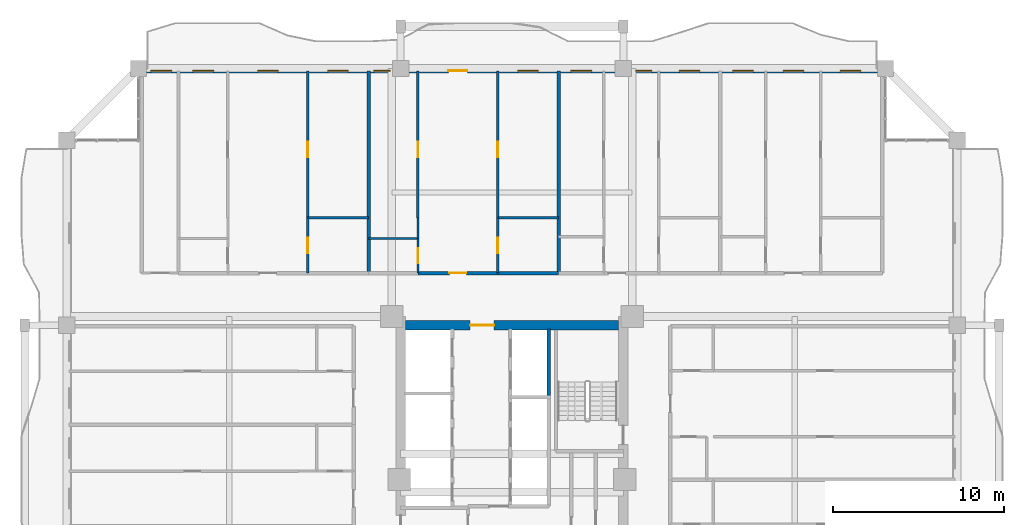
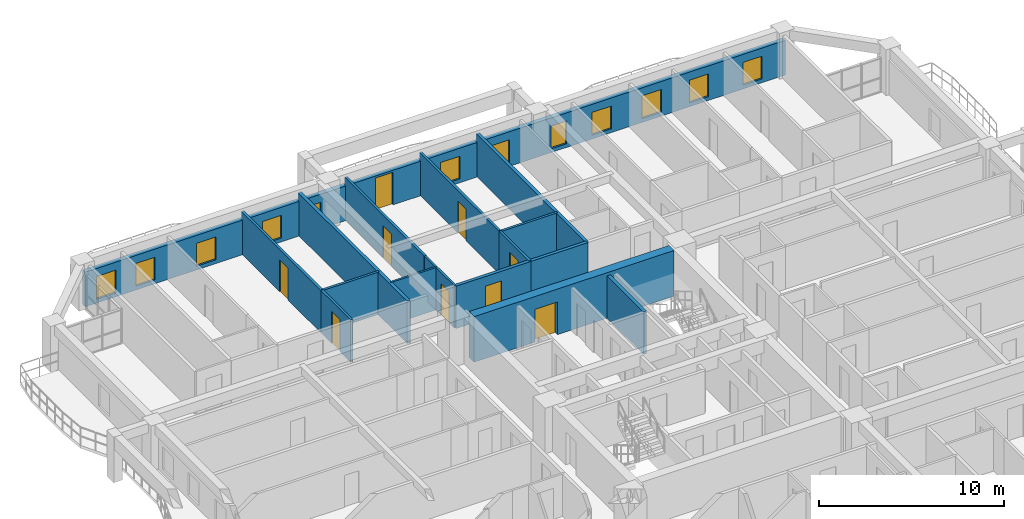
# One storey, part 19 of 26: 17 walls, 12 windows, 9 doors, 21 openings.
"""IFC4 building model written with IfcOpenShell, lengths in metres."""

from ifc_helpers import new_model, si_unit, direction, frame, frame_2d, origin, place, context, subcontext, project, spatial, rectangle, extrude, source, transform, mapped, material, layer, layer_set, type_object, element, fill, save


model = new_model("IFC4")

# Units and contexts
model_context = context("Model", 3, precision=1e-05, world=origin(), true_north=direction((0.0, 1.0)))
body_context = subcontext(model_context, "Body", "Model", "MODEL_VIEW")
ifc_project = project(units=[si_unit("LENGTHUNIT", "METRE"), si_unit("AREAUNIT", "SQUARE_METRE"), si_unit("VOLUMEUNIT", "CUBIC_METRE"), si_unit("PLANEANGLEUNIT", "RADIAN"), si_unit("MASSUNIT", "GRAM", prefix="KILO")], contexts=[model_context])

# Site, building, storey
site_placement = place(None, origin())
site = spatial("IfcSite", under=ifc_project, at=site_placement, CompositionType="ELEMENT")
building_placement = place(site_placement, origin())
building = spatial("IfcBuilding", under=site, at=building_placement, Name="Saelheon Loggia Tower", CompositionType="ELEMENT")
storey_placement = place(building_placement, frame((0.0, 0.0, 89.85009765625)))
storey = spatial("IfcBuildingStorey", under=building, at=storey_placement, Name="L28", CompositionType="ELEMENT", Elevation=89.85009765625)

# Wall, opening, door
ifc_material_1 = material(Name="Concrete C50/60", Category="concrete")
ifc_layer_1 = layer(ifc_material_1, 0.550048828125)
ifc_layer_set_1 = layer_set([ifc_layer_1], Name="Concrete C50/60")
wall_type_1 = type_object("IfcWallType", Name="Wall_CoreShear_550", PredefinedType="SHEAR", material=ifc_layer_set_1)
wall_1_placement = place(storey_placement, frame((31.77490234375, 36.0, 0.0), z_axis=(0.0, 0.0, 1.0), x_axis=(1.0, 0.0, 0.0)))
wall_1 = element("IfcWall", 1, at=wall_1_placement, inside=storey, type_object=wall_type_1, Name="L28 Core Shear Wall North", PredefinedType="SHEAR", context=body_context, shape_type="SweptSolid", body=[
    extrude(rectangle(XDim=12.4501953125, YDim=0.550048828125, at=frame_2d((6.22509765625, 0.0))), origin(), (0.0, 0.0, 1.0), 3.0),
])
opening_1_placement = place(wall_1_placement, frame((5.1748046875, 0.0, 0.0), z_axis=(0.0, 0.0, 1.0), x_axis=(-1.0, 0.0, 0.0)))
opening_1 = element("IfcOpeningElement", 2, at=opening_1_placement, cuts=wall_1, Name="Opening D-FD2L", PredefinedType="OPENING", context=body_context, shape_type="SweptSolid", body=[
    extrude(rectangle(XDim=1.39990234375, YDim=2.14990234375, at=frame_2d((0.699951171875, 1.074951171875))), frame((0.0, 0.287109375, 0.0), z_axis=(0.0, -1.0, 0.0), x_axis=(1.0, 0.0, 0.0)), (0.0, 0.0, 1.0), 0.573974609375),
])
ifc_material_2 = material(Name="Galvanised Steel Glazed Lobby Fire Door", Category="steel")
door_type_1 = type_object("IfcDoorType", Name="Door_Fire_FD60_1400", OperationType="NOTDEFINED", PredefinedType="DOOR", material=ifc_material_2)
shared_shape_1 = source(origin(), body_context, "Body", "SweptSolid", [
    extrude(rectangle(XDim=1.39990234375, YDim=2.14990234375, at=frame_2d((0.699951171875, 1.074951171875))), frame((0.0, 0.02490234375, 0.0), z_axis=(0.0, -1.0, 0.0), x_axis=(1.0, 0.0, 0.0)), (0.0, 0.0, 1.0), 0.050048828125),
])
door_1_placement = place(opening_1_placement, origin())
door_1 = element("IfcDoor", 3, at=door_1_placement, inside=storey, type_object=door_type_1, Name="L28 Passenger Lift Lobby Main Door", OperationType="SINGLE_SWING_RIGHT", OverallHeight=2.14990234375, OverallWidth=1.39990234375, PredefinedType="DOOR", context=body_context, shape_type="MappedRepresentation", body=[
    mapped(shared_shape_1, transform((0.0, 0.0, 0.0), scale=1.0)),
])
fill(opening_1, door_1)

# Wall, openings, windows, door
ifc_material_3 = material(Name="Architectural Precast Concrete C40/50", Category="concrete")
ifc_layer_2 = layer(ifc_material_3, 0.280029296875)
ifc_layer_set_2 = layer_set([ifc_layer_2], Name="Architectural Precast Concrete C40/50")
wall_type_2 = type_object("IfcWallType", Name="Wall_Ext_Loggia_280", PredefinedType="SOLIDWALL", material=ifc_layer_set_2)
wall_2_placement = place(storey_placement, frame((16.199951171875, 50.860107421875, 0.0), z_axis=(0.0, 0.0, 1.0), x_axis=(1.0, 0.0, 0.0)))
wall_2 = element("IfcWall", 4, at=wall_2_placement, inside=storey, type_object=wall_type_2, Name="L28 North Loggia Inner Wall", PredefinedType="SOLIDWALL", context=body_context, shape_type="SweptSolid", body=[
    extrude(rectangle(XDim=43.60009765625, YDim=0.280029296875, at=frame_2d((21.800048828125, 0.0))), origin(), (0.0, 0.0, 1.0), 2.27978515625),
])
opening_2_placement = place(wall_2_placement, frame((0.722412109375, 0.0, 0.25)))
opening_2 = element("IfcOpeningElement", 5, at=opening_2_placement, cuts=wall_2, Name="Opening WN-03", PredefinedType="OPENING", context=body_context, shape_type="SweptSolid", body=[
    extrude(rectangle(XDim=1.199951171875, YDim=1.5, at=frame_2d((0.60009765625, 0.75))), frame((0.0, 0.152099609375, 0.0), z_axis=(0.0, -1.0, 0.0), x_axis=(1.0, 0.0, 0.0)), (0.0, 0.0, 1.0), 0.303955078125),
])
opening_3_placement = place(wall_2_placement, frame((3.17236328125, 0.0, 0.25)))
opening_3 = element("IfcOpeningElement", 6, at=opening_3_placement, cuts=wall_2, Name="Opening WN-03", PredefinedType="OPENING", context=body_context, shape_type="SweptSolid", body=[
    extrude(rectangle(XDim=1.199951171875, YDim=1.5, at=frame_2d((0.60009765625, 0.75))), frame((0.0, 0.152099609375, 0.0), z_axis=(0.0, -1.0, 0.0), x_axis=(1.0, 0.0, 0.0)), (0.0, 0.0, 1.0), 0.303955078125),
])
opening_4_placement = place(wall_2_placement, frame((6.9443359375, 0.0, 0.25)))
opening_4 = element("IfcOpeningElement", 7, at=opening_4_placement, cuts=wall_2, Name="Opening WN-03", PredefinedType="OPENING", context=body_context, shape_type="SweptSolid", body=[
    extrude(rectangle(XDim=1.199951171875, YDim=1.5, at=frame_2d((0.60009765625, 0.75))), frame((0.0, 0.152099609375, 0.0), z_axis=(0.0, -1.0, 0.0), x_axis=(1.0, 0.0, 0.0)), (0.0, 0.0, 1.0), 0.303955078125),
])
opening_5_placement = place(wall_2_placement, frame((11.04931640625, 0.0, 0.25)))
opening_5 = element("IfcOpeningElement", 8, at=opening_5_placement, cuts=wall_2, Name="Opening WN-03", PredefinedType="OPENING", context=body_context, shape_type="SweptSolid", body=[
    extrude(rectangle(XDim=1.199951171875, YDim=1.5, at=frame_2d((0.60009765625, 0.75))), frame((0.0, 0.152099609375, 0.0), z_axis=(0.0, -1.0, 0.0), x_axis=(1.0, 0.0, 0.0)), (0.0, 0.0, 1.0), 0.303955078125),
])
opening_6_placement = place(wall_2_placement, frame((13.729736328125, 0.0, 0.25)))
opening_6 = element("IfcOpeningElement", 9, at=opening_6_placement, cuts=wall_2, Name="Opening WN-04", PredefinedType="OPENING", context=body_context, shape_type="SweptSolid", body=[
    extrude(rectangle(XDim=0.949951171875, YDim=1.5, at=frame_2d((0.47509765625, 0.75))), frame((0.0, 0.152099609375, 0.0), z_axis=(0.0, -1.0, 0.0), x_axis=(1.0, 0.0, 0.0)), (0.0, 0.0, 1.0), 0.303955078125),
])
opening_7_placement = place(wall_2_placement, frame((18.088623046875, 0.0, 0.0)))
opening_7 = element("IfcOpeningElement", 10, at=opening_7_placement, cuts=wall_2, Name="Opening TD1", PredefinedType="OPENING", context=body_context, shape_type="SweptSolid", body=[
    extrude(rectangle(XDim=1.10009765625, YDim=2.14990234375, at=frame_2d((0.550048828125, 1.074951171875))), frame((0.0, 0.152099609375, 0.0), z_axis=(0.0, -1.0, 0.0), x_axis=(1.0, 0.0, 0.0)), (0.0, 0.0, 1.0), 0.303955078125),
])
opening_8_placement = place(wall_2_placement, frame((22.1435546875, 0.0, 0.25)))
opening_8 = element("IfcOpeningElement", 11, at=opening_8_placement, cuts=wall_2, Name="Opening WN-03", PredefinedType="OPENING", context=body_context, shape_type="SweptSolid", body=[
    extrude(rectangle(XDim=1.199951171875, YDim=1.5, at=frame_2d((0.60009765625, 0.75))), frame((0.0, 0.152099609375, 0.0), z_axis=(0.0, -1.0, 0.0), x_axis=(1.0, 0.0, 0.0)), (0.0, 0.0, 1.0), 0.303955078125),
])
opening_9_placement = place(wall_2_placement, frame((25.24169921875, 0.0, 0.25)))
opening_9 = element("IfcOpeningElement", 12, at=opening_9_placement, cuts=wall_2, Name="Opening WN-03", PredefinedType="OPENING", context=body_context, shape_type="SweptSolid", body=[
    extrude(rectangle(XDim=1.199951171875, YDim=1.5, at=frame_2d((0.60009765625, 0.75))), frame((0.0, 0.152099609375, 0.0), z_axis=(0.0, -1.0, 0.0), x_axis=(1.0, 0.0, 0.0)), (0.0, 0.0, 1.0), 0.303955078125),
])
opening_10_placement = place(wall_2_placement, frame((29.021484375, 0.0, 0.25)))
opening_10 = element("IfcOpeningElement", 13, at=opening_10_placement, cuts=wall_2, Name="Opening WN-04", PredefinedType="OPENING", context=body_context, shape_type="SweptSolid", body=[
    extrude(rectangle(XDim=0.949951171875, YDim=1.5, at=frame_2d((0.47509765625, 0.75))), frame((0.0, 0.152099609375, 0.0), z_axis=(0.0, -1.0, 0.0), x_axis=(1.0, 0.0, 0.0)), (0.0, 0.0, 1.0), 0.303955078125),
])
opening_11_placement = place(wall_2_placement, frame((31.57373046875, 0.0, 0.25)))
opening_11 = element("IfcOpeningElement", 14, at=opening_11_placement, cuts=wall_2, Name="Opening WN-03", PredefinedType="OPENING", context=body_context, shape_type="SweptSolid", body=[
    extrude(rectangle(XDim=1.199951171875, YDim=1.5, at=frame_2d((0.60009765625, 0.75))), frame((0.0, 0.152099609375, 0.0), z_axis=(0.0, -1.0, 0.0), x_axis=(1.0, 0.0, 0.0)), (0.0, 0.0, 1.0), 0.303955078125),
])
opening_12_placement = place(wall_2_placement, frame((34.6923828125, 0.0, 0.25)))
opening_12 = element("IfcOpeningElement", 15, at=opening_12_placement, cuts=wall_2, Name="Opening WN-03", PredefinedType="OPENING", context=body_context, shape_type="SweptSolid", body=[
    extrude(rectangle(XDim=1.199951171875, YDim=1.5, at=frame_2d((0.60009765625, 0.75))), frame((0.0, 0.152099609375, 0.0), z_axis=(0.0, -1.0, 0.0), x_axis=(1.0, 0.0, 0.0)), (0.0, 0.0, 1.0), 0.303955078125),
])
opening_13_placement = place(wall_2_placement, frame((37.6220703125, 0.0, 0.25)))
opening_13 = element("IfcOpeningElement", 16, at=opening_13_placement, cuts=wall_2, Name="Opening WN-03", PredefinedType="OPENING", context=body_context, shape_type="SweptSolid", body=[
    extrude(rectangle(XDim=1.199951171875, YDim=1.5, at=frame_2d((0.60009765625, 0.75))), frame((0.0, 0.152099609375, 0.0), z_axis=(0.0, -1.0, 0.0), x_axis=(1.0, 0.0, 0.0)), (0.0, 0.0, 1.0), 0.303955078125),
])
opening_14_placement = place(wall_2_placement, frame((40.956787109375, 0.0, 0.25)))
opening_14 = element("IfcOpeningElement", 17, at=opening_14_placement, cuts=wall_2, Name="Opening WN-03", PredefinedType="OPENING", context=body_context, shape_type="SweptSolid", body=[
    extrude(rectangle(XDim=1.199951171875, YDim=1.5, at=frame_2d((0.60009765625, 0.75))), frame((0.0, 0.152099609375, 0.0), z_axis=(0.0, -1.0, 0.0), x_axis=(1.0, 0.0, 0.0)), (0.0, 0.0, 1.0), 0.303955078125),
])
ifc_material_4 = material(Name="Thermal-Break Aluminium and Triple Low-E Glass", Category="aluminium")
window_type_1 = type_object("IfcWindowType", Name="Win_Bedroom_1200x1500", PartitioningType="SINGLE_PANEL", PredefinedType="WINDOW", material=ifc_material_4)
shared_shape_2 = source(origin(), body_context, "Body", "SweptSolid", [
    extrude(rectangle(XDim=1.199951171875, YDim=1.5, at=frame_2d((0.60009765625, 0.75))), frame((0.0, 0.030029296875, 0.0), z_axis=(0.0, -1.0, 0.0), x_axis=(1.0, 0.0, 0.0)), (0.0, 0.0, 1.0), 0.06005859375),
])
window_1_placement = place(opening_2_placement, origin())
window_1 = element("IfcWindow", 18, at=window_1_placement, inside=storey, type_object=window_type_1, Name="L28 N Dwelling Window 1", OverallHeight=1.5, OverallWidth=1.199951171875, PartitioningType="SINGLE_PANEL", PredefinedType="WINDOW", context=body_context, shape_type="MappedRepresentation", body=[
    mapped(shared_shape_2, transform((0.0, 0.0, 0.0), scale=1.0)),
])
fill(opening_2, window_1)
window_2_placement = place(opening_3_placement, origin())
window_2 = element("IfcWindow", 19, at=window_2_placement, inside=storey, type_object=window_type_1, Name="L28 N Dwelling Window 2", OverallHeight=1.5, OverallWidth=1.199951171875, PartitioningType="SINGLE_PANEL", PredefinedType="WINDOW", context=body_context, shape_type="MappedRepresentation", body=[
    mapped(shared_shape_2, transform((0.0, 0.0, 0.0), scale=1.0)),
])
fill(opening_3, window_2)
window_3_placement = place(opening_4_placement, origin())
window_3 = element("IfcWindow", 20, at=window_3_placement, inside=storey, type_object=window_type_1, Name="L28 N Dwelling Window 3", OverallHeight=1.5, OverallWidth=1.199951171875, PartitioningType="SINGLE_PANEL", PredefinedType="WINDOW", context=body_context, shape_type="MappedRepresentation", body=[
    mapped(shared_shape_2, transform((0.0, 0.0, 0.0), scale=1.0)),
])
fill(opening_4, window_3)
window_4_placement = place(opening_5_placement, origin())
window_4 = element("IfcWindow", 21, at=window_4_placement, inside=storey, type_object=window_type_1, Name="L28 N Dwelling Window 4", OverallHeight=1.5, OverallWidth=1.199951171875, PartitioningType="SINGLE_PANEL", PredefinedType="WINDOW", context=body_context, shape_type="MappedRepresentation", body=[
    mapped(shared_shape_2, transform((0.0, 0.0, 0.0), scale=1.0)),
])
fill(opening_5, window_4)
window_5_placement = place(opening_8_placement, origin())
window_5 = element("IfcWindow", 22, at=window_5_placement, inside=storey, type_object=window_type_1, Name="L28 N Dwelling Window 7", OverallHeight=1.5, OverallWidth=1.199951171875, PartitioningType="SINGLE_PANEL", PredefinedType="WINDOW", context=body_context, shape_type="MappedRepresentation", body=[
    mapped(shared_shape_2, transform((0.0, 0.0, 0.0), scale=1.0)),
])
fill(opening_8, window_5)
window_6_placement = place(opening_9_placement, origin())
window_6 = element("IfcWindow", 23, at=window_6_placement, inside=storey, type_object=window_type_1, Name="L28 N Dwelling Window 8", OverallHeight=1.5, OverallWidth=1.199951171875, PartitioningType="SINGLE_PANEL", PredefinedType="WINDOW", context=body_context, shape_type="MappedRepresentation", body=[
    mapped(shared_shape_2, transform((0.0, 0.0, 0.0), scale=1.0)),
])
fill(opening_9, window_6)
window_7_placement = place(opening_11_placement, origin())
window_7 = element("IfcWindow", 24, at=window_7_placement, inside=storey, type_object=window_type_1, Name="L28 N Dwelling Window 10", OverallHeight=1.5, OverallWidth=1.199951171875, PartitioningType="SINGLE_PANEL", PredefinedType="WINDOW", context=body_context, shape_type="MappedRepresentation", body=[
    mapped(shared_shape_2, transform((0.0, 0.0, 0.0), scale=1.0)),
])
fill(opening_11, window_7)
window_8_placement = place(opening_12_placement, origin())
window_8 = element("IfcWindow", 25, at=window_8_placement, inside=storey, type_object=window_type_1, Name="L28 N Dwelling Window 11", OverallHeight=1.5, OverallWidth=1.199951171875, PartitioningType="SINGLE_PANEL", PredefinedType="WINDOW", context=body_context, shape_type="MappedRepresentation", body=[
    mapped(shared_shape_2, transform((0.0, 0.0, 0.0), scale=1.0)),
])
fill(opening_12, window_8)
window_9_placement = place(opening_13_placement, origin())
window_9 = element("IfcWindow", 26, at=window_9_placement, inside=storey, type_object=window_type_1, Name="L28 N Dwelling Window 12", OverallHeight=1.5, OverallWidth=1.199951171875, PartitioningType="SINGLE_PANEL", PredefinedType="WINDOW", context=body_context, shape_type="MappedRepresentation", body=[
    mapped(shared_shape_2, transform((0.0, 0.0, 0.0), scale=1.0)),
])
fill(opening_13, window_9)
window_10_placement = place(opening_14_placement, origin())
window_10 = element("IfcWindow", 27, at=window_10_placement, inside=storey, type_object=window_type_1, Name="L28 N Dwelling Window 13", OverallHeight=1.5, OverallWidth=1.199951171875, PartitioningType="SINGLE_PANEL", PredefinedType="WINDOW", context=body_context, shape_type="MappedRepresentation", body=[
    mapped(shared_shape_2, transform((0.0, 0.0, 0.0), scale=1.0)),
])
fill(opening_14, window_10)
ifc_material_5 = material(Name="Thermal-Break Aluminium Glazed Door", Category="aluminium")
door_type_2 = type_object("IfcDoorType", Name="Door_Terrace_TD1", OperationType="NOTDEFINED", PredefinedType="DOOR", material=ifc_material_5)
shared_shape_3 = source(origin(), body_context, "Body", "SweptSolid", [
    extrude(rectangle(XDim=1.10009765625, YDim=2.14990234375, at=frame_2d((0.550048828125, 1.074951171875))), frame((0.0, 0.02490234375, 0.0), z_axis=(0.0, -1.0, 0.0), x_axis=(1.0, 0.0, 0.0)), (0.0, 0.0, 1.0), 0.050048828125),
])
door_2_placement = place(opening_7_placement, origin())
door_2 = element("IfcDoor", 28, at=door_2_placement, inside=storey, type_object=door_type_2, Name="L28 N Loggia Access Door", OperationType="SINGLE_SWING_RIGHT", OverallHeight=2.14990234375, OverallWidth=1.10009765625, PredefinedType="DOOR", context=body_context, shape_type="MappedRepresentation", body=[
    mapped(shared_shape_3, transform((0.0, 0.0, 0.0), scale=1.0)),
])
fill(opening_7, door_2)
window_type_2 = type_object("IfcWindowType", Name="Win_Narrow_950x1500", PartitioningType="SINGLE_PANEL", PredefinedType="WINDOW", material=ifc_material_4)
shared_shape_4 = source(origin(), body_context, "Body", "SweptSolid", [
    extrude(rectangle(XDim=0.949951171875, YDim=1.5, at=frame_2d((0.47509765625, 0.75))), frame((0.0, 0.030029296875, 0.0), z_axis=(0.0, -1.0, 0.0), x_axis=(1.0, 0.0, 0.0)), (0.0, 0.0, 1.0), 0.06005859375),
])
window_11_placement = place(opening_6_placement, origin())
window_11 = element("IfcWindow", 29, at=window_11_placement, inside=storey, type_object=window_type_2, Name="L28 N Dwelling Window 5", OverallHeight=1.5, OverallWidth=0.949951171875, PartitioningType="SINGLE_PANEL", PredefinedType="WINDOW", context=body_context, shape_type="MappedRepresentation", body=[
    mapped(shared_shape_4, transform((0.0, 0.0, 0.0), scale=1.0)),
])
fill(opening_6, window_11)
window_12_placement = place(opening_10_placement, origin())
window_12 = element("IfcWindow", 30, at=window_12_placement, inside=storey, type_object=window_type_2, Name="L28 N Dwelling Window 9", OverallHeight=1.5, OverallWidth=0.949951171875, PartitioningType="SINGLE_PANEL", PredefinedType="WINDOW", context=body_context, shape_type="MappedRepresentation", body=[
    mapped(shared_shape_4, transform((0.0, 0.0, 0.0), scale=1.0)),
])
fill(opening_10, window_12)

# Wall
ifc_material_6 = material(Name="Lightweight Autoclaved Aerated Concrete Block and Acoustic Gypsum", Category="concrete")
ifc_layer_3 = layer(ifc_material_6, 0.14990234375)
ifc_layer_set_3 = layer_set([ifc_layer_3], Name="Lightweight Autoclaved Aerated Concrete Block and Acoustic Gypsum")
wall_type_3 = type_object("IfcWallType", Name="Wall_Part_150", PredefinedType="PARTITIONING", material=ifc_layer_set_3)
wall_3_placement = place(storey_placement, frame((26.07421875, 42.27001953125, 0.0), z_axis=(0.0, 0.0, 1.0), x_axis=(1.0, 0.0, 0.0)))
element("IfcWall", 31, at=wall_3_placement, inside=storey, type_object=wall_type_3, Name="L28 N Partition V09", PredefinedType="PARTITIONING", context=body_context, shape_type="SweptSolid", body=[
    extrude(rectangle(XDim=3.550048828125, YDim=0.14990234375, at=frame_2d((1.77490234375, 0.0))), origin(), (0.0, 0.0, 1.0), 2.789794921875),
])

# Wall, opening, door
wall_4_placement = place(storey_placement, frame((26.07421875, 39.050048828125, 0.0), z_axis=(0.0, 0.0, 1.0), x_axis=(0.0, 1.0, 0.0)))
wall_4 = element("IfcWall", 32, at=wall_4_placement, inside=storey, type_object=wall_type_3, Name="L28 N Partition U13", PredefinedType="PARTITIONING", context=body_context, shape_type="SweptSolid", body=[
    extrude(rectangle(XDim=3.219970703125, YDim=0.14990234375, at=frame_2d((1.60986328125, 0.0))), origin(), (0.0, 0.0, 1.0), 2.789794921875),
])
opening_15_placement = place(wall_4_placement, frame((1.159912109375, 0.0, 0.0)))
opening_15 = element("IfcOpeningElement", 33, at=opening_15_placement, cuts=wall_4, Name="Opening D-IN2", PredefinedType="OPENING", context=body_context, shape_type="SweptSolid", body=[
    extrude(rectangle(XDim=0.89990234375, YDim=2.10009765625, at=frame_2d((0.449951171875, 1.050048828125))), frame((0.0, 0.0869140625, 0.0), z_axis=(0.0, -1.0, 0.0), x_axis=(1.0, 0.0, 0.0)), (0.0, 0.0, 1.0), 0.173828125),
])
ifc_material_7 = material(Name="Engineered Oak Flush Door", Category="timber")
door_type_3 = type_object("IfcDoorType", Name="Door_Int_900", OperationType="NOTDEFINED", PredefinedType="DOOR", material=ifc_material_7)
shared_shape_5 = source(origin(), body_context, "Body", "SweptSolid", [
    extrude(rectangle(XDim=0.89990234375, YDim=2.10009765625, at=frame_2d((0.449951171875, 1.050048828125))), frame((0.0, 0.02490234375, 0.0), z_axis=(0.0, -1.0, 0.0), x_axis=(1.0, 0.0, 0.0)), (0.0, 0.0, 1.0), 0.050048828125),
])
door_3_placement = place(opening_15_placement, origin())
door_3 = element("IfcDoor", 34, at=door_3_placement, inside=storey, type_object=door_type_3, Name="Unit U05 Kitchen Door", OperationType="SINGLE_SWING_LEFT", OverallHeight=2.10009765625, OverallWidth=0.89990234375, PredefinedType="DOOR", context=body_context, shape_type="MappedRepresentation", body=[
    mapped(shared_shape_5, transform((0.0, 0.0, 0.0), scale=1.0)),
])
fill(opening_15, door_3)

wall_5_placement = place(storey_placement, frame((26.07421875, 42.27001953125, 0.0), z_axis=(0.0, 0.0, 1.0), x_axis=(0.0, 1.0, 0.0)))
wall_5 = element("IfcWall", 35, at=wall_5_placement, inside=storey, type_object=wall_type_3, Name="L28 N Partition U14", PredefinedType="PARTITIONING", context=body_context, shape_type="SweptSolid", body=[
    extrude(rectangle(XDim=8.580078125, YDim=0.14990234375, at=frame_2d((4.2900390625, 0.0))), origin(), (0.0, 0.0, 1.0), 2.789794921875),
])
opening_16_placement = place(wall_5_placement, frame((3.5400390625, 0.0, 0.0)))
opening_16 = element("IfcOpeningElement", 36, at=opening_16_placement, cuts=wall_5, Name="Opening D-IN2", PredefinedType="OPENING", context=body_context, shape_type="SweptSolid", body=[
    extrude(rectangle(XDim=0.89990234375, YDim=2.10009765625, at=frame_2d((0.449951171875, 1.050048828125))), frame((0.0, 0.0869140625, 0.0), z_axis=(0.0, -1.0, 0.0), x_axis=(1.0, 0.0, 0.0)), (0.0, 0.0, 1.0), 0.173828125),
])
door_4_placement = place(opening_16_placement, origin())
door_4 = element("IfcDoor", 37, at=door_4_placement, inside=storey, type_object=door_type_3, Name="Unit U05 Bedroom 1 Door", OperationType="SINGLE_SWING_RIGHT", OverallHeight=2.10009765625, OverallWidth=0.89990234375, PredefinedType="DOOR", context=body_context, shape_type="MappedRepresentation", body=[
    mapped(shared_shape_5, transform((0.0, 0.0, 0.0), scale=1.0)),
])
fill(opening_16, door_4)

# Wall
wall_6_placement = place(storey_placement, frame((37.16845703125, 42.27001953125, 0.0), z_axis=(0.0, 0.0, 1.0), x_axis=(1.0, 0.0, 0.0)))
element("IfcWall", 38, at=wall_6_placement, inside=storey, type_object=wall_type_3, Name="L28 N Partition V20", PredefinedType="PARTITIONING", context=body_context, shape_type="SweptSolid", body=[
    extrude(rectangle(XDim=3.550048828125, YDim=0.14990234375, at=frame_2d((1.77490234375, 0.0))), origin(), (0.0, 0.0, 1.0), 2.789794921875),
])

# Wall, opening, door
wall_7_placement = place(storey_placement, frame((32.5087890625, 42.27001953125, 0.0), z_axis=(0.0, 0.0, 1.0), x_axis=(0.0, 1.0, 0.0)))
wall_7 = element("IfcWall", 39, at=wall_7_placement, inside=storey, type_object=wall_type_3, Name="L28 N Partition U23", PredefinedType="PARTITIONING", context=body_context, shape_type="SweptSolid", body=[
    extrude(rectangle(XDim=8.580078125, YDim=0.14990234375, at=frame_2d((4.2900390625, 0.0))), origin(), (0.0, 0.0, 1.0), 2.789794921875),
])
opening_17_placement = place(wall_7_placement, frame((3.5400390625, 0.0, 0.0)))
opening_17 = element("IfcOpeningElement", 40, at=opening_17_placement, cuts=wall_7, Name="Opening D-IN2", PredefinedType="OPENING", context=body_context, shape_type="SweptSolid", body=[
    extrude(rectangle(XDim=0.89990234375, YDim=2.10009765625, at=frame_2d((0.449951171875, 1.050048828125))), frame((0.0, 0.0869140625, 0.0), z_axis=(0.0, -1.0, 0.0), x_axis=(1.0, 0.0, 0.0)), (0.0, 0.0, 1.0), 0.173828125),
])
door_5_placement = place(opening_17_placement, origin())
door_5 = element("IfcDoor", 41, at=door_5_placement, inside=storey, type_object=door_type_3, Name="Unit U06 Bedroom 2 Door", OperationType="SINGLE_SWING_LEFT", OverallHeight=2.10009765625, OverallWidth=0.89990234375, PredefinedType="DOOR", context=body_context, shape_type="MappedRepresentation", body=[
    mapped(shared_shape_5, transform((0.0, 0.0, 0.0), scale=1.0)),
])
fill(opening_17, door_5)

wall_8_placement = place(storey_placement, frame((37.16845703125, 39.050048828125, 0.0), z_axis=(0.0, 0.0, 1.0), x_axis=(0.0, 1.0, 0.0)))
wall_8 = element("IfcWall", 42, at=wall_8_placement, inside=storey, type_object=wall_type_3, Name="L28 N Partition U24", PredefinedType="PARTITIONING", context=body_context, shape_type="SweptSolid", body=[
    extrude(rectangle(XDim=3.219970703125, YDim=0.14990234375, at=frame_2d((1.60986328125, 0.0))), origin(), (0.0, 0.0, 1.0), 2.789794921875),
])
opening_18_placement = place(wall_8_placement, frame((1.159912109375, 0.0, 0.0)))
opening_18 = element("IfcOpeningElement", 43, at=opening_18_placement, cuts=wall_8, Name="Opening D-IN2", PredefinedType="OPENING", context=body_context, shape_type="SweptSolid", body=[
    extrude(rectangle(XDim=0.89990234375, YDim=2.10009765625, at=frame_2d((0.449951171875, 1.050048828125))), frame((0.0, 0.0869140625, 0.0), z_axis=(0.0, -1.0, 0.0), x_axis=(1.0, 0.0, 0.0)), (0.0, 0.0, 1.0), 0.173828125),
])
door_6_placement = place(opening_18_placement, origin())
door_6 = element("IfcDoor", 44, at=door_6_placement, inside=storey, type_object=door_type_3, Name="Unit U06 Kitchen Door", OperationType="SINGLE_SWING_RIGHT", OverallHeight=2.10009765625, OverallWidth=0.89990234375, PredefinedType="DOOR", context=body_context, shape_type="MappedRepresentation", body=[
    mapped(shared_shape_5, transform((0.0, 0.0, 0.0), scale=1.0)),
])
fill(opening_18, door_6)

wall_9_placement = place(storey_placement, frame((37.16845703125, 42.27001953125, 0.0), z_axis=(0.0, 0.0, 1.0), x_axis=(0.0, 1.0, 0.0)))
wall_9 = element("IfcWall", 45, at=wall_9_placement, inside=storey, type_object=wall_type_3, Name="L28 N Partition U25", PredefinedType="PARTITIONING", context=body_context, shape_type="SweptSolid", body=[
    extrude(rectangle(XDim=8.580078125, YDim=0.14990234375, at=frame_2d((4.2900390625, 0.0))), origin(), (0.0, 0.0, 1.0), 2.789794921875),
])
opening_19_placement = place(wall_9_placement, frame((3.5400390625, 0.0, 0.0)))
opening_19 = element("IfcOpeningElement", 46, at=opening_19_placement, cuts=wall_9, Name="Opening D-IN2", PredefinedType="OPENING", context=body_context, shape_type="SweptSolid", body=[
    extrude(rectangle(XDim=0.89990234375, YDim=2.10009765625, at=frame_2d((0.449951171875, 1.050048828125))), frame((0.0, 0.0869140625, 0.0), z_axis=(0.0, -1.0, 0.0), x_axis=(1.0, 0.0, 0.0)), (0.0, 0.0, 1.0), 0.173828125),
])
door_7_placement = place(opening_19_placement, origin())
door_7 = element("IfcDoor", 47, at=door_7_placement, inside=storey, type_object=door_type_3, Name="Unit U06 Bedroom 1 Door", OperationType="SINGLE_SWING_LEFT", OverallHeight=2.10009765625, OverallWidth=0.89990234375, PredefinedType="DOOR", context=body_context, shape_type="MappedRepresentation", body=[
    mapped(shared_shape_5, transform((0.0, 0.0, 0.0), scale=1.0)),
])
fill(opening_19, door_7)

# Wall
ifc_material_8 = material(Name="Double Acoustic Stud and Fireboard Partition", Category="gypsum")
ifc_layer_4 = layer(ifc_material_8, 0.199951171875)
ifc_layer_set_4 = layer_set([ifc_layer_4], Name="Double Acoustic Stud and Fireboard Partition")
wall_type_4 = type_object("IfcWallType", Name="Wall_Party_200", PredefinedType="PARTITIONING", material=ifc_layer_set_4)
wall_10_placement = place(storey_placement, frame((29.624267578125, 39.050048828125, 0.0), z_axis=(0.0, 0.0, 1.0), x_axis=(0.0, 1.0, 0.0)))
element("IfcWall", 48, at=wall_10_placement, inside=storey, type_object=wall_type_4, Name="L28 N Partition U15", PredefinedType="PARTITIONING", context=body_context, shape_type="SweptSolid", body=[
    extrude(rectangle(XDim=11.800048828125, YDim=0.199951171875, at=frame_2d((5.89990234375, 0.0))), origin(), (0.0, 0.0, 1.0), 2.789794921875),
])

# Wall, opening, door
wall_11_placement = place(storey_placement, frame((32.5087890625, 39.050048828125, 0.0), z_axis=(0.0, 0.0, 1.0), x_axis=(1.0, 0.0, 0.0)))
wall_11 = element("IfcWall", 49, at=wall_11_placement, inside=storey, type_object=wall_type_4, Name="L28 N Partition V17", PredefinedType="PARTITIONING", context=body_context, shape_type="SweptSolid", body=[
    extrude(rectangle(XDim=4.65966796875, YDim=0.199951171875, at=frame_2d((2.329833984375, 0.0))), origin(), (0.0, 0.0, 1.0), 2.789794921875),
])
opening_20_placement = place(wall_11_placement, frame((1.829833984375, 0.0, 0.0)))
opening_20 = element("IfcOpeningElement", 50, at=opening_20_placement, cuts=wall_11, Name="Opening D-FD1", PredefinedType="OPENING", context=body_context, shape_type="SweptSolid", body=[
    extrude(rectangle(XDim=1.0, YDim=2.14990234375, at=frame_2d((0.5, 1.074951171875))), frame((0.0, 0.112060546875, 0.0), z_axis=(0.0, -1.0, 0.0), x_axis=(1.0, 0.0, 0.0)), (0.0, 0.0, 1.0), 0.223876953125),
])
ifc_material_9 = material(Name="Fire-Rated Engineered Timber Entrance Door", Category="wood")
door_type_4 = type_object("IfcDoorType", Name="Door_Flat_FD30S", OperationType="NOTDEFINED", PredefinedType="DOOR", material=ifc_material_9)
shared_shape_6 = source(origin(), body_context, "Body", "SweptSolid", [
    extrude(rectangle(XDim=1.0, YDim=2.14990234375, at=frame_2d((0.5, 1.074951171875))), frame((0.0, 0.02490234375, 0.0), z_axis=(0.0, -1.0, 0.0), x_axis=(1.0, 0.0, 0.0)), (0.0, 0.0, 1.0), 0.050048828125),
])
door_8_placement = place(opening_20_placement, origin())
door_8 = element("IfcDoor", 51, at=door_8_placement, inside=storey, type_object=door_type_4, Name="Unit U06 Entrance Door", OperationType="SINGLE_SWING_LEFT", OverallHeight=2.14990234375, OverallWidth=1.0, PredefinedType="DOOR", context=body_context, shape_type="MappedRepresentation", body=[
    mapped(shared_shape_6, transform((0.0, 0.0, 0.0), scale=1.0)),
])
fill(opening_20, door_8)

# Walls
wall_12_placement = place(storey_placement, frame((37.16845703125, 39.050048828125, 0.0), z_axis=(0.0, 0.0, 1.0), x_axis=(1.0, 0.0, 0.0)))
element("IfcWall", 52, at=wall_12_placement, inside=storey, type_object=wall_type_4, Name="L28 N Partition V18", PredefinedType="PARTITIONING", context=body_context, shape_type="SweptSolid", body=[
    extrude(rectangle(XDim=3.550048828125, YDim=0.199951171875, at=frame_2d((1.77490234375, 0.0))), origin(), (0.0, 0.0, 1.0), 2.789794921875),
])
wall_13_placement = place(storey_placement, frame((40.718505859375, 39.050048828125, 0.0), z_axis=(0.0, 0.0, 1.0), x_axis=(0.0, 1.0, 0.0)))
element("IfcWall", 53, at=wall_13_placement, inside=storey, type_object=wall_type_4, Name="L28 N Partition U26", PredefinedType="PARTITIONING", context=body_context, shape_type="SweptSolid", body=[
    extrude(rectangle(XDim=11.800048828125, YDim=0.199951171875, at=frame_2d((5.89990234375, 0.0))), origin(), (0.0, 0.0, 1.0), 2.789794921875),
])
ifc_material_10 = material(Name="Concrete C40/50", Category="concrete")
ifc_layer_5 = layer(ifc_material_10, 0.199951171875)
ifc_layer_set_5 = layer_set([ifc_layer_5], Name="Concrete C40/50")
wall_type_5 = type_object("IfcWallType", Name="Wall_Shaft_200", PredefinedType="PARTITIONING", material=ifc_layer_set_5)
wall_14_placement = place(storey_placement, frame((40.14990234375, 31.800048828125, 0.0), z_axis=(0.0, 0.0, 1.0), x_axis=(0.0, 1.0, 0.0)))
element("IfcWall", 54, at=wall_14_placement, inside=storey, type_object=wall_type_5, Name="L28 East High-Rise Hoistway East Wall", PredefinedType="PARTITIONING", context=body_context, shape_type="SweptSolid", body=[
    extrude(rectangle(XDim=3.97998046875, YDim=0.199951171875, at=frame_2d((1.989990234375, 0.0))), origin(), (0.0, 0.0, 1.0), 2.789794921875),
])
ifc_material_11 = material(Name="Moisture-Resistant Cement Board Partition", Category="gypsum")
ifc_layer_6 = layer(ifc_material_11, 0.1201171875)
ifc_layer_set_6 = layer_set([ifc_layer_6], Name="Moisture-Resistant Cement Board Partition")
wall_type_6 = type_object("IfcWallType", Name="Wall_WetPart_120", PredefinedType="PARTITIONING", material=ifc_layer_set_6)
wall_15_placement = place(storey_placement, frame((29.624267578125, 41.070068359375, 0.0), z_axis=(0.0, 0.0, 1.0), x_axis=(1.0, 0.0, 0.0)))
element("IfcWall", 55, at=wall_15_placement, inside=storey, type_object=wall_type_6, Name="L28 N Partition V19", PredefinedType="PARTITIONING", context=body_context, shape_type="SweptSolid", body=[
    extrude(rectangle(XDim=2.884521484375, YDim=0.1201171875, at=frame_2d((1.4423828125, 0.0))), origin(), (0.0, 0.0, 1.0), 2.789794921875),
])

# Wall, opening, door
wall_16_placement = place(storey_placement, frame((32.5087890625, 39.050048828125, 0.0), z_axis=(0.0, 0.0, 1.0), x_axis=(0.0, 1.0, 0.0)))
wall_16 = element("IfcWall", 56, at=wall_16_placement, inside=storey, type_object=wall_type_6, Name="L28 N Partition U21", PredefinedType="PARTITIONING", context=body_context, shape_type="SweptSolid", body=[
    extrude(rectangle(XDim=2.02001953125, YDim=0.1201171875, at=frame_2d((1.010009765625, 0.0))), origin(), (0.0, 0.0, 1.0), 2.789794921875),
])
opening_21_placement = place(wall_16_placement, frame((0.5849609375, 0.0, 0.0)))
opening_21 = element("IfcOpeningElement", 57, at=opening_21_placement, cuts=wall_16, Name="Opening D-BT1", PredefinedType="OPENING", context=body_context, shape_type="SweptSolid", body=[
    extrude(rectangle(XDim=0.85009765625, YDim=2.050048828125, at=frame_2d((0.425048828125, 1.02490234375))), frame((0.0, 0.072021484375, 0.0), z_axis=(0.0, -1.0, 0.0), x_axis=(1.0, 0.0, 0.0)), (0.0, 0.0, 1.0), 0.14404296875),
])
ifc_material_12 = material(Name="Moisture-Resistant Laminate Timber Door", Category="wood")
door_type_5 = type_object("IfcDoorType", Name="Door_Bath_850", OperationType="NOTDEFINED", PredefinedType="DOOR", material=ifc_material_12)
shared_shape_7 = source(origin(), body_context, "Body", "SweptSolid", [
    extrude(rectangle(XDim=0.85009765625, YDim=2.050048828125, at=frame_2d((0.425048828125, 1.02490234375))), frame((0.0, 0.02490234375, 0.0), z_axis=(0.0, -1.0, 0.0), x_axis=(1.0, 0.0, 0.0)), (0.0, 0.0, 1.0), 0.050048828125),
])
door_9_placement = place(opening_21_placement, origin())
door_9 = element("IfcDoor", 58, at=door_9_placement, inside=storey, type_object=door_type_5, Name="Unit U06 Bathroom Door", OperationType="SINGLE_SWING_RIGHT", OverallHeight=2.050048828125, OverallWidth=0.85009765625, PredefinedType="DOOR", context=body_context, shape_type="MappedRepresentation", body=[
    mapped(shared_shape_7, transform((0.0, 0.0, 0.0), scale=1.0)),
])
fill(opening_21, door_9)

# Wall
wall_17_placement = place(storey_placement, frame((32.5087890625, 41.070068359375, 0.0), z_axis=(0.0, 0.0, 1.0), x_axis=(0.0, 1.0, 0.0)))
element("IfcWall", 59, at=wall_17_placement, inside=storey, type_object=wall_type_6, Name="L28 N Partition U22", PredefinedType="PARTITIONING", context=body_context, shape_type="SweptSolid", body=[
    extrude(rectangle(XDim=1.199951171875, YDim=0.1201171875, at=frame_2d((0.60009765625, 0.0))), origin(), (0.0, 0.0, 1.0), 2.789794921875),
])

save(model, "model.ifc")
